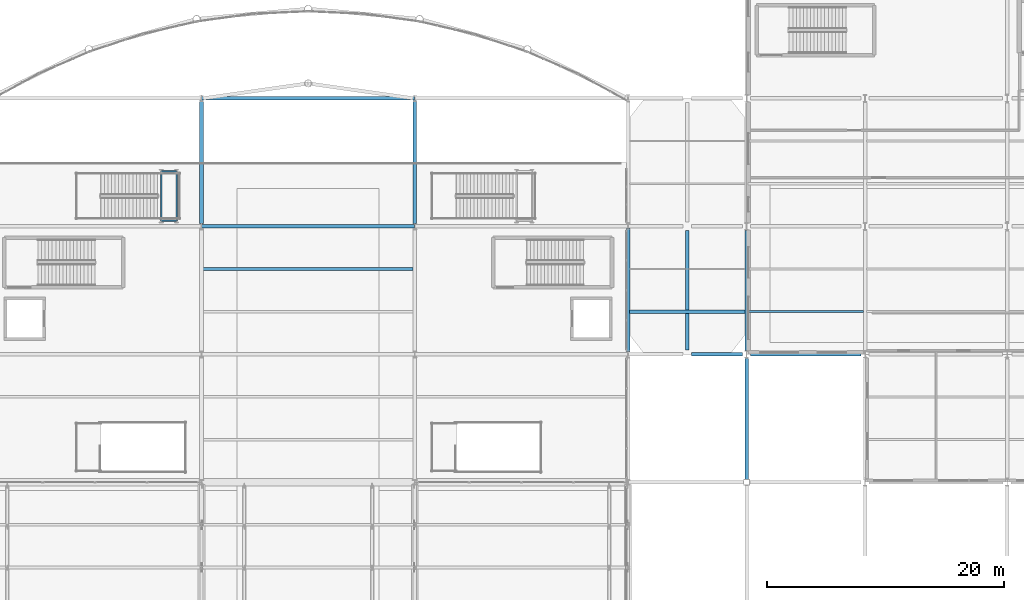
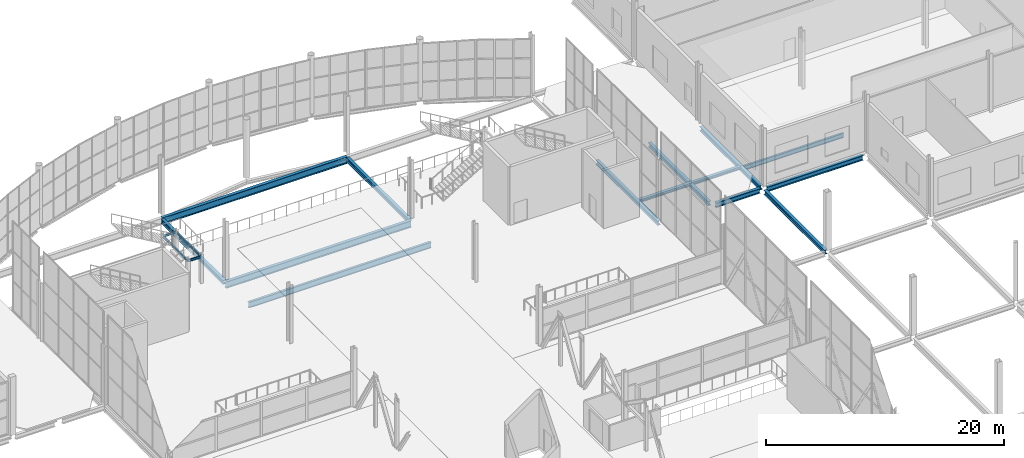
# One storey, part 116 of 191: 17 beams.
"""IFC4 building model written with IfcOpenShell, lengths in metres."""

from ifc_helpers import new_model, si_unit, direction, frame, origin, origin_2d, place, context, subcontext, project, spatial, i_section, extrude, material, material_profile, profile_set, type_object, element, save


model = new_model("IFC4")

# Units and contexts
model_context = context("Model", 3, precision=1e-05, world=origin(), true_north=direction((0.0, 1.0)))
body_context = subcontext(model_context, "Body", "Model", "MODEL_VIEW")
ifc_project = project(units=[si_unit("LENGTHUNIT", "METRE"), si_unit("AREAUNIT", "SQUARE_METRE"), si_unit("VOLUMEUNIT", "CUBIC_METRE"), si_unit("PLANEANGLEUNIT", "RADIAN"), si_unit("MASSUNIT", "GRAM", prefix="KILO")], contexts=[model_context])

# Site, building, storey
site_placement = place(None, origin())
site = spatial("IfcSite", under=ifc_project, at=site_placement, CompositionType="ELEMENT")
building_placement = place(site_placement, origin())
building = spatial("IfcBuilding", under=site, at=building_placement, Name="Tamarisk Ironworks Central Station", CompositionType="ELEMENT")
storey_placement = place(building_placement, frame((0.0, 0.0, 6.60009765625)))
storey = spatial("IfcBuildingStorey", under=building, at=storey_placement, Name="L01", CompositionType="ELEMENT", Elevation=6.60009765625)

# Beams
ifc_material = material(Name="Structural steel S355J2", Category="steel")
ifc_material_profile_1 = material_profile(ifc_material, i_section(OverallWidth=0.219970703125, OverallDepth=0.60009765625, WebThickness=0.011962890625, FlangeThickness=0.01904296875, at=origin_2d()), Name="IPE 600")
ifc_profile_set_1 = profile_set([ifc_material_profile_1], Name="Structural steel S355J2")
beam_type_1 = type_object("IfcBeamType", Name="BM-B01", PredefinedType="BEAM", material=ifc_profile_set_1)
beam_1_placement = place(storey_placement, frame((72.135009765625, 97.199951171875, -0.60009765625), z_axis=(1.0, 0.0, 0.0), x_axis=(0.0, 1.0, 0.0)))
element("IfcBeam", 1, at=beam_1_placement, inside=storey, type_object=beam_type_1, Name="L01 secondary composite beam 0030", PredefinedType="BEAM", context=body_context, shape_type="SweptSolid", body=[
    extrude(i_section(OverallWidth=0.219970703125, OverallDepth=0.60009765625, WebThickness=0.011962890625, FlangeThickness=0.01904296875, at=origin_2d()), origin(), (0.0, 0.0, 1.0), 17.72998046875),
])
ifc_material_profile_2 = material_profile(ifc_material, i_section(OverallWidth=0.18994140625, OverallDepth=0.449951171875, WebThickness=0.009521484375, FlangeThickness=0.0146484375, at=origin_2d()), Name="IPE 450")
ifc_profile_set_2 = profile_set([ifc_material_profile_2], Name="Structural steel S355J2")
beam_type_2 = type_object("IfcBeamType", Name="BM-B03", PredefinedType="BEAM", material=ifc_profile_set_2)
beam_2_placement = place(storey_placement, frame((118.135009765625, 93.60009765625, -0.47509765625), z_axis=(1.0, 0.0, 0.0), x_axis=(0.0, 1.0, 0.0)))
element("IfcBeam", 2, at=beam_2_placement, inside=storey, type_object=beam_type_2, Name="L01 secondary composite beam 0072", PredefinedType="BEAM", context=body_context, shape_type="SweptSolid", body=[
    extrude(i_section(OverallWidth=0.18994140625, OverallDepth=0.449951171875, WebThickness=0.009521484375, FlangeThickness=0.0146484375, at=origin_2d()), origin(), (0.0, 0.0, 1.0), 9.72998046875),
])
ifc_material_profile_3 = material_profile(ifc_material, i_section(OverallWidth=0.300048828125, OverallDepth=0.68994140625, WebThickness=0.014404296875, FlangeThickness=0.027099609375, at=origin_2d()), Name="HEA 700")
ifc_profile_set_3 = profile_set([ifc_material_profile_3], Name="Structural steel S355J2")
beam_type_3 = type_object("IfcBeamType", Name="BM-G01", PredefinedType="BEAM", material=ifc_profile_set_3)
for number, where, z_axis, x_axis, name in (
    (3, (72.00390625, 100.800048828125, -0.64501953125), (1.0, 0.0, 0.0), (0.0, 1.0, 0.0), "L01 primary girder X-0117"),
    (4, (72.00390625, 111.60009765625, -0.64501953125), (1.0, 0.0, 0.0), (0.0, 1.0, 0.0), "L01 primary girder X-0134"),
):
    element("IfcBeam", number, at=place(storey_placement, frame(where, z_axis=z_axis, x_axis=x_axis)), inside=storey, type_object=beam_type_3, Name=name, PredefinedType="BEAM", context=body_context, shape_type="SweptSolid", body=[
        extrude(i_section(OverallWidth=0.300048828125, OverallDepth=0.68994140625, WebThickness=0.014404296875, FlangeThickness=0.027099609375, at=origin_2d()), origin(), (0.0, 0.0, 1.0), 17.9921875),
    ])
ifc_material_profile_4 = material_profile(ifc_material, i_section(OverallWidth=0.300048828125, OverallDepth=0.489990234375, WebThickness=0.011962890625, FlangeThickness=0.02294921875, at=origin_2d()), Name="HEA 500")
ifc_profile_set_4 = profile_set([ifc_material_profile_4], Name="Structural steel S355J2")
beam_type_4 = type_object("IfcBeamType", Name="BM-G05", PredefinedType="BEAM", material=ifc_profile_set_4)
beam_3_placement = place(storey_placement, frame((113.363037109375, 90.0, -0.385009765625), z_axis=(1.0, 0.0, 0.0), x_axis=(0.0, 1.0, 0.0)))
element("IfcBeam", 5, at=beam_3_placement, inside=storey, type_object=beam_type_4, Name="L01 primary girder X-0104", PredefinedType="BEAM", context=body_context, shape_type="SweptSolid", body=[
    extrude(i_section(OverallWidth=0.300048828125, OverallDepth=0.489990234375, WebThickness=0.011962890625, FlangeThickness=0.02294921875, at=origin_2d()), origin(), (0.0, 0.0, 1.0), 4.299072265625),
])
beam_4_placement = place(storey_placement, frame((118.337890625, 90.0, -0.4951171875), z_axis=(1.0, 0.0, 0.0), x_axis=(0.0, 1.0, 0.0)))
element("IfcBeam", 6, at=beam_4_placement, inside=storey, type_object=beam_type_4, Name="L01 primary girder X-0105", PredefinedType="BEAM", context=body_context, shape_type="SweptSolid", body=[
    extrude(i_section(OverallWidth=0.300048828125, OverallDepth=0.489990234375, WebThickness=0.011962890625, FlangeThickness=0.02294921875, at=origin_2d()), origin(), (0.0, 0.0, 1.0), 9.32421875),
])
ifc_material_profile_5 = material_profile(ifc_material, i_section(OverallWidth=0.300048828125, OverallDepth=0.43994140625, WebThickness=0.011474609375, FlangeThickness=0.02099609375, at=origin_2d()), Name="HEA 450")
ifc_profile_set_5 = profile_set([ifc_material_profile_5], Name="Structural steel S355J2")
beam_type_5 = type_object("IfcBeamType", Name="BM-G06", PredefinedType="BEAM", material=ifc_profile_set_5)
for number, where, z_axis, x_axis, name in (
    (7, (72.0, 100.987548828125, -0.52001953125), (0.0, 1.0, 0.0), (-1.0, 0.0, 0.0), "L01 primary girder Y-0222"),
    (8, (90.0, 100.987548828125, -0.52001953125), (0.0, 1.0, 0.0), (-1.0, 0.0, 0.0), "L01 primary girder Y-0230"),
):
    element("IfcBeam", number, at=place(storey_placement, frame(where, z_axis=z_axis, x_axis=x_axis)), inside=storey, type_object=beam_type_5, Name=name, PredefinedType="BEAM", context=body_context, shape_type="SweptSolid", body=[
        extrude(i_section(OverallWidth=0.300048828125, OverallDepth=0.43994140625, WebThickness=0.011474609375, FlangeThickness=0.02099609375, at=origin_2d()), origin(), (0.0, 0.0, 1.0), 10.425048828125),
    ])
beam_5_placement = place(storey_placement, frame((108.0, 90.19140625, -0.52001953125), z_axis=(0.0, 1.0, 0.0), x_axis=(-1.0, 0.0, 0.0)))
element("IfcBeam", 9, at=beam_5_placement, inside=storey, type_object=beam_type_5, Name="L01 primary girder Y-0237", PredefinedType="BEAM", context=body_context, shape_type="SweptSolid", body=[
    extrude(i_section(OverallWidth=0.300048828125, OverallDepth=0.43994140625, WebThickness=0.011474609375, FlangeThickness=0.02099609375, at=origin_2d()), origin(), (0.0, 0.0, 1.0), 10.4169921875),
])
beam_6_placement = place(storey_placement, frame((113.0, 90.363037109375, -0.360107421875), z_axis=(0.0, 1.0, 0.0), x_axis=(-1.0, 0.0, 0.0)))
element("IfcBeam", 10, at=beam_6_placement, inside=storey, type_object=beam_type_5, Name="L01 primary girder Y-0239", PredefinedType="BEAM", context=body_context, shape_type="SweptSolid", body=[
    extrude(i_section(OverallWidth=0.300048828125, OverallDepth=0.43994140625, WebThickness=0.011474609375, FlangeThickness=0.02099609375, at=origin_2d()), origin(), (0.0, 0.0, 1.0), 10.073974609375),
])
beam_7_placement = place(storey_placement, frame((118.0, 79.43798828125, -0.47021484375), z_axis=(0.0, 1.0, 0.0), x_axis=(-1.0, 0.0, 0.0)))
element("IfcBeam", 11, at=beam_7_placement, inside=storey, type_object=beam_type_5, Name="L01 primary girder Y-0246", PredefinedType="BEAM", context=body_context, shape_type="SweptSolid", body=[
    extrude(i_section(OverallWidth=0.300048828125, OverallDepth=0.43994140625, WebThickness=0.011474609375, FlangeThickness=0.02099609375, at=origin_2d()), origin(), (0.0, 0.0, 1.0), 10.22412109375),
])
beam_8_placement = place(storey_placement, frame((118.0, 90.337890625, -0.47021484375), z_axis=(0.0, 1.0, 0.0), x_axis=(-1.0, 0.0, 0.0)))
element("IfcBeam", 12, at=beam_8_placement, inside=storey, type_object=beam_type_5, Name="L01 primary girder Y-0247", PredefinedType="BEAM", context=body_context, shape_type="SweptSolid", body=[
    extrude(i_section(OverallWidth=0.300048828125, OverallDepth=0.43994140625, WebThickness=0.011474609375, FlangeThickness=0.02099609375, at=origin_2d()), origin(), (0.0, 0.0, 1.0), 10.1240234375),
])
ifc_material_profile_6 = material_profile(ifc_material, i_section(OverallWidth=0.300048828125, OverallDepth=0.2900390625, WebThickness=0.008544921875, FlangeThickness=0.013916015625, at=origin_2d()), Name="HEA 300")
ifc_profile_set_6 = profile_set([ifc_material_profile_6], Name="Structural steel S355J2")
beam_type_6 = type_object("IfcBeamType", Name="BM-G10", PredefinedType="BEAM", material=ifc_profile_set_6)
beam_9_placement = place(storey_placement, frame((108.135009765625, 93.60009765625, -0.28515625), z_axis=(1.0, 0.0, 0.0), x_axis=(0.0, 1.0, 0.0)))
element("IfcBeam", 13, at=beam_9_placement, inside=storey, type_object=beam_type_6, Name="Forecourt canopy framing beam 005", PredefinedType="BEAM", context=body_context, shape_type="SweptSolid", body=[
    extrude(i_section(OverallWidth=0.300048828125, OverallDepth=0.2900390625, WebThickness=0.008544921875, FlangeThickness=0.013916015625, at=origin_2d()), origin(), (0.0, 0.0, 1.0), 9.72998046875),
])
ifc_material_profile_7 = material_profile(ifc_material, i_section(OverallWidth=0.110107421875, OverallDepth=0.219970703125, WebThickness=0.005859375, FlangeThickness=0.00927734375, at=origin_2d()), Name="IPE 220")
ifc_profile_set_7 = profile_set([ifc_material_profile_7], Name="Structural steel S355J2")
beam_type_7 = type_object("IfcBeamType", Name="BM-J02", PredefinedType="JOIST", material=ifc_profile_set_7)
for number, where, z_axis, x_axis, name in (
    (14, (68.60009765625, 101.264892578125, 2.679931640625), (1.0, 0.0, 0.0), (0.0, 1.0, 0.0), "ST-MZ1 landing frame beam Z1-1"),
    (15, (68.60009765625, 105.43505859375, 2.679931640625), (1.0, 0.0, 0.0), (0.0, 1.0, 0.0), "ST-MZ1 landing frame beam Z1-2"),
):
    element("IfcBeam", number, at=place(storey_placement, frame(where, z_axis=z_axis, x_axis=x_axis)), inside=storey, type_object=beam_type_7, Name=name, PredefinedType="JOIST", context=body_context, shape_type="SweptSolid", body=[
        extrude(i_section(OverallWidth=0.110107421875, OverallDepth=0.219970703125, WebThickness=0.005859375, FlangeThickness=0.00927734375, at=origin_2d()), origin(), (0.0, 0.0, 1.0), 1.2998046875),
    ])
for number, where, z_axis, x_axis, name in (
    (16, (68.60009765625, 101.264892578125, 2.679931640625), (0.0, 1.0, 0.0), (-1.0, 0.0, 0.0), "ST-MZ1 landing frame beam Z1-3"),
    (17, (69.89990234375, 101.264892578125, 2.679931640625), (0.0, 1.0, 0.0), (-1.0, 0.0, 0.0), "ST-MZ1 landing frame beam Z1-4"),
):
    element("IfcBeam", number, at=place(storey_placement, frame(where, z_axis=z_axis, x_axis=x_axis)), inside=storey, type_object=beam_type_7, Name=name, PredefinedType="JOIST", context=body_context, shape_type="SweptSolid", body=[
        extrude(i_section(OverallWidth=0.110107421875, OverallDepth=0.219970703125, WebThickness=0.005859375, FlangeThickness=0.00927734375, at=origin_2d()), origin(), (0.0, 0.0, 1.0), 4.170166015625),
    ])

save(model, "model.ifc")
